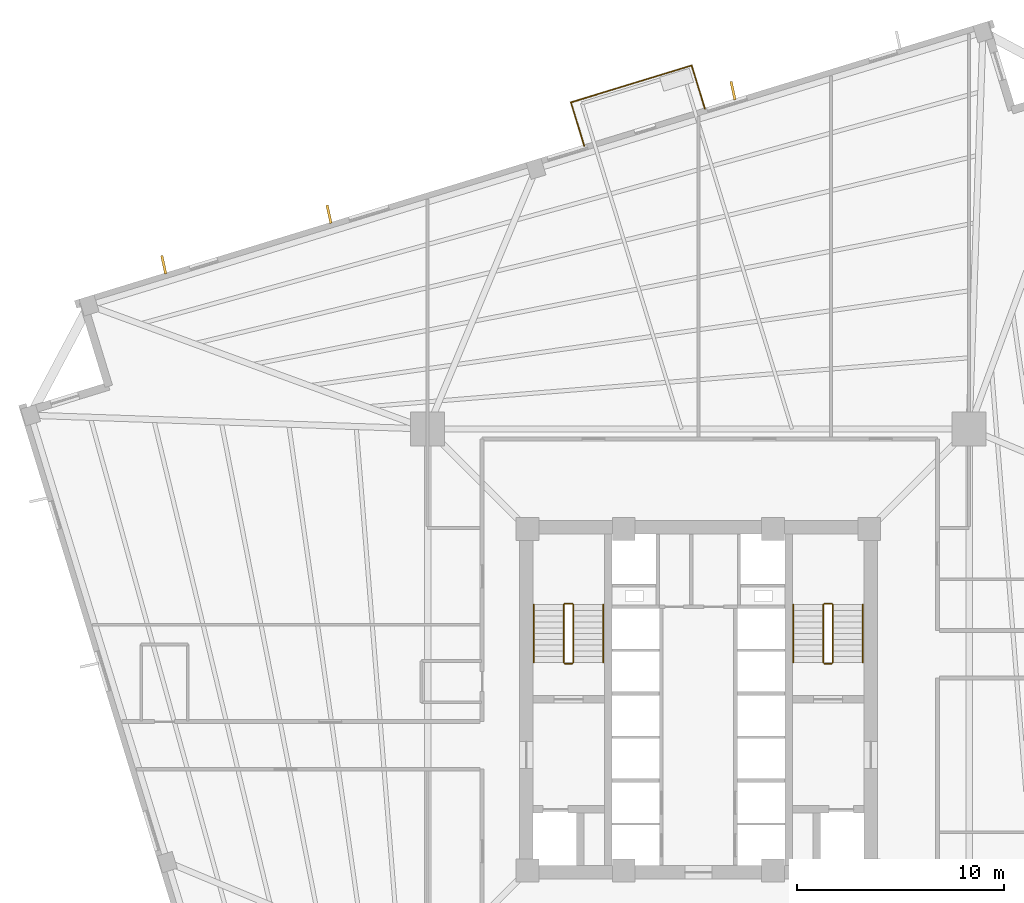
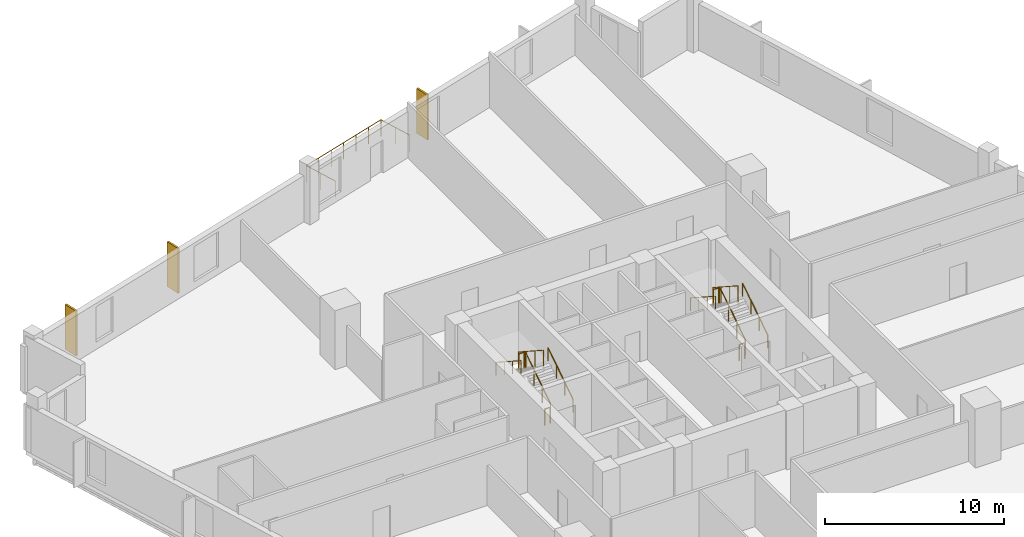
# One storey, part 8 of 9: 15 railings, 3 coverings.
"""IFC4 building model written with IfcOpenShell, lengths in metres."""

from ifc_helpers import new_model, si_unit, direction, frame, origin, origin_2d, place, context, subcontext, project, spatial, rectangle, circle, extrude, source, transform, mapped, material, layer, layer_set, type_object, element, save


model = new_model("IFC4")

# Units and contexts
model_context = context("Model", 3, precision=1e-05, world=origin(), true_north=direction((0.0, 1.0)))
body_context = subcontext(model_context, "Body", "Model", "MODEL_VIEW")
ifc_project = project(units=[si_unit("LENGTHUNIT", "METRE"), si_unit("AREAUNIT", "SQUARE_METRE"), si_unit("VOLUMEUNIT", "CUBIC_METRE"), si_unit("PLANEANGLEUNIT", "RADIAN"), si_unit("MASSUNIT", "GRAM", prefix="KILO"), si_unit("THERMODYNAMICTEMPERATUREUNIT", "KELVIN")], contexts=[model_context])

# Site, building, storey
site_placement = place(None, origin())
site = spatial("IfcSite", under=ifc_project, at=site_placement, CompositionType="ELEMENT")
building_placement = place(site_placement, origin())
building = spatial("IfcBuilding", under=site, at=building_placement, Name="Kosmvard Interchange Tower", CompositionType="ELEMENT")
storey_placement = place(building_placement, frame((0.0, 0.0, 127.199951171875)))
storey = spatial("IfcBuildingStorey", under=building, at=storey_placement, Name="L30", CompositionType="ELEMENT", Elevation=127.199951171875)

# Railings
ifc_material_1 = material(Name="Steel S355", Category="steel")
railing_type_1 = type_object("IfcRailingType", Name="Observation & Balcony Glass-Infill Balustrade 1150", PredefinedType="BALUSTRADE", material=ifc_material_1)
shared_shape_1 = source(origin(), body_context, "Body", "SweptSolid", [
    extrude(circle(Radius=0.02392578125, at=origin_2d()), frame((0.0, 0.0, 1.1259765625), z_axis=(-0.292424349234, 0.956288659336, 0.0), x_axis=(-0.956288659336, -0.292424349234, 0.0)), (0.0, 0.0, 1.0), 2.199951171875),
    extrude(circle(Radius=0.02099609375, at=origin_2d()), origin(), (0.0, 0.0, 1.0), 1.101806640625),
    extrude(circle(Radius=0.02099609375, at=origin_2d()), frame((-0.32177734375, 1.0517578125, 0.0)), (0.0, 0.0, 1.0), 1.101806640625),
    extrude(circle(Radius=0.02099609375, at=origin_2d()), frame((-0.643310546875, 2.103759765625, 0.0)), (0.0, 0.0, 1.0), 1.101806640625),
])
railing_1_placement = place(storey_placement, frame((0.319580078125, 28.54052734375, 0.0)))
element("IfcRailing", 1, at=railing_1_placement, inside=storey, type_object=railing_type_1, Name="L30 Outdoor Terrace Guard BAL-L30-N-A", PredefinedType="BALUSTRADE", context=body_context, shape_type="MappedRepresentation", body=[
    mapped(shared_shape_1, transform((0.0, 0.0, 0.0), scale=1.0)),
])
shared_shape_2 = source(origin(), body_context, "Body", "SweptSolid", [
    extrude(circle(Radius=0.02392578125, at=origin_2d()), frame((0.0, 0.0, 1.1259765625), z_axis=(0.292424349234, -0.956288659336, 0.0), x_axis=(0.956288659336, 0.292424349234, 0.0)), (0.0, 0.0, 1.0), 2.199951171875),
    extrude(circle(Radius=0.02099609375, at=origin_2d()), origin(), (0.0, 0.0, 1.0), 1.101806640625),
    extrude(circle(Radius=0.02099609375, at=origin_2d()), frame((0.32177734375, -1.0517578125, 0.0)), (0.0, 0.0, 1.0), 1.101806640625),
    extrude(circle(Radius=0.02099609375, at=origin_2d()), frame((0.643310546875, -2.103759765625, 0.0)), (0.0, 0.0, 1.0), 1.101806640625),
])
railing_2_placement = place(storey_placement, frame((-6.1572265625, 28.86083984375, 0.0)))
element("IfcRailing", 2, at=railing_2_placement, inside=storey, type_object=railing_type_1, Name="L30 Outdoor Terrace Guard BAL-L30-N-C", PredefinedType="BALUSTRADE", context=body_context, shape_type="MappedRepresentation", body=[
    mapped(shared_shape_2, transform((0.0, 0.0, 0.0), scale=1.0)),
])

# Coverings
ifc_material_2 = material(Name="Architectural anodised aluminium", Category="aluminium")
ifc_layer = layer(ifc_material_2, 0.1201171875, Name="Architectural anodised aluminium")
ifc_layer_set = layer_set([ifc_layer], Name="Architectural anodised aluminium")
covering_type = type_object("IfcCoveringType", Name="Rotating Vertical Sun-Breaker Fin 900x120 Aluminium", PredefinedType="CLADDING", material=ifc_layer_set)
shared_shape_3 = source(origin(), body_context, "Body", "SweptSolid", [
    extrude(rectangle(XDim=0.89990234375, YDim=0.1201171875, at=origin_2d()), origin(), (0.0, 0.0, 1.0), 3.06005859375),
])
for number, where, z_axis, x_axis, name in (
    (3, (1.673583984375, 29.425048828125, 0.0400390625), (0.0, 0.0, 1.0), (-0.21251877723, 0.977156982948, 0.0), "L30 Rotating Vertical Sun-Breaker Fin 10"),
    (4, (-17.841796875, 23.45849609375, 0.0400390625), (0.0, 0.0, 1.0), (-0.21251877723, 0.977156982948, 0.0), "L30 Rotating Vertical Sun-Breaker Fin 11"),
    (5, (-25.825439453125, 21.017822265625, 0.0400390625), (0.0, 0.0, 1.0), (-0.21251877723, 0.977156982948, 0.0), "L30 Rotating Vertical Sun-Breaker Fin 12"),
):
    element("IfcCovering", number, at=place(storey_placement, frame(where, z_axis=z_axis, x_axis=x_axis)), inside=storey, type_object=covering_type, Name=name, PredefinedType="CLADDING", context=body_context, shape_type="MappedRepresentation", body=[
        mapped(shared_shape_3, transform((0.0, 0.0, 0.0), scale=1.0)),
    ])

# Railings
shared_shape_4 = source(origin(), body_context, "Body", "SweptSolid", [
    extrude(circle(Radius=0.02392578125, at=origin_2d()), frame((0.0, 0.0, 1.1259765625), z_axis=(-0.956306198406, -0.292366986664, 0.0), x_axis=(0.292366986664, -0.956306198406, 0.0)), (0.0, 0.0, 1.0), 6.10009765625),
    extrude(circle(Radius=0.02099609375, at=origin_2d()), origin(), (0.0, 0.0, 1.0), 1.101806640625),
    extrude(circle(Radius=0.02099609375, at=origin_2d()), frame((-0.97216796875, -0.29736328125, 0.0)), (0.0, 0.0, 1.0), 1.101806640625),
    extrude(circle(Radius=0.02099609375, at=origin_2d()), frame((-1.944580078125, -0.594482421875, 0.0)), (0.0, 0.0, 1.0), 1.101806640625),
    extrude(circle(Radius=0.02099609375, at=origin_2d()), frame((-2.916748046875, -0.8916015625, 0.0)), (0.0, 0.0, 1.0), 1.101806640625),
    extrude(circle(Radius=0.02099609375, at=origin_2d()), frame((-3.888916015625, -1.18896484375, 0.0)), (0.0, 0.0, 1.0), 1.101806640625),
    extrude(circle(Radius=0.02099609375, at=origin_2d()), frame((-4.861328125, -1.486328125, 0.0)), (0.0, 0.0, 1.0), 1.101806640625),
    extrude(circle(Radius=0.02099609375, at=origin_2d()), frame((-5.83349609375, -1.783447265625, 0.0)), (0.0, 0.0, 1.0), 1.101806640625),
])
railing_3_placement = place(storey_placement, frame((-0.32373046875, 30.644287109375, 0.0)))
element("IfcRailing", 6, at=railing_3_placement, inside=storey, type_object=railing_type_1, Name="L30 Outdoor Terrace Guard BAL-L30-N-B", PredefinedType="BALUSTRADE", context=body_context, shape_type="MappedRepresentation", body=[
    mapped(shared_shape_4, transform((0.0, 0.0, 0.0), scale=1.0)),
])
railing_type_2 = type_object("IfcRailingType", Name="Stair & Terrace Safety Guardrail 1100 Steel", PredefinedType="GUARDRAIL", material=ifc_material_1)
shared_shape_5 = source(origin(), body_context, "Body", "SweptSolid", [
    extrude(circle(Radius=0.02392578125, at=origin_2d()), frame((0.0, 0.0, 1.076171875), z_axis=(-1.0, 0.0, 0.0), x_axis=(0.0, -1.0, 0.0)), (0.0, 0.0, 1.0), 0.35986328125),
    extrude(circle(Radius=0.02099609375, at=origin_2d()), origin(), (0.0, 0.0, 1.0), 1.052001953125),
    extrude(circle(Radius=0.02099609375, at=origin_2d()), frame((-0.35986328125, 0.0, 0.0)), (0.0, 0.0, 1.0), 1.052001953125),
])
for number, where, name in (
    (7, (-6.090087890625, 4.64990234375, 2.0), "L30 ST-1 stair guard 2"),
    (8, (-6.090087890625, 1.75, 0.0), "L30 ST-1 stair guard 4"),
    (9, (6.449951171875, 4.64990234375, 2.0), "L30 ST-2 stair guard 2"),
    (10, (6.449951171875, 1.75, 0.0), "L30 ST-2 stair guard 4"),
):
    element("IfcRailing", number, at=place(storey_placement, frame(where)), inside=storey, type_object=railing_type_2, Name=name, PredefinedType="GUARDRAIL", context=body_context, shape_type="MappedRepresentation", body=[
        mapped(shared_shape_5, transform((0.0, 0.0, 0.0), scale=1.0)),
    ])
shared_shape_6 = source(origin(), body_context, "Body", "SweptSolid", [
    extrude(circle(Radius=0.02392578125, at=origin_2d()), frame((0.0, 0.0, 1.076171875), z_axis=(0.0, 0.838705829183, 0.544584733623), x_axis=(-1.0, 0.0, 0.0)), (0.0, 0.0, 1.0), 3.338623046875),
    extrude(circle(Radius=0.02099609375, at=origin_2d()), origin(), (0.0, 0.0, 1.0), 1.052001953125),
    extrude(circle(Radius=0.02099609375, at=origin_2d()), frame((0.0, 0.933349609375, 0.60595703125)), (0.0, 0.0, 1.0), 1.052001953125),
    extrude(circle(Radius=0.02099609375, at=origin_2d()), frame((0.0, 1.86669921875, 1.212158203125)), (0.0, 0.0, 1.0), 1.052001953125),
    extrude(circle(Radius=0.02099609375, at=origin_2d()), frame((0.0, 2.800048828125, 1.818115234375)), (0.0, 0.0, 1.0), 1.052001953125),
])
for number, where, name in (
    (11, (-6.0400390625, 1.800048828125, 0.181884765625), "L30 ST-1 stair guard 1"),
    (12, (6.5, 1.800048828125, 0.181884765625), "L30 ST-2 stair guard 1"),
):
    element("IfcRailing", number, at=place(storey_placement, frame(where)), inside=storey, type_object=railing_type_2, Name=name, PredefinedType="GUARDRAIL", context=body_context, shape_type="MappedRepresentation", body=[
        mapped(shared_shape_6, transform((0.0, 0.0, 0.0), scale=1.0)),
    ])
shared_shape_7 = source(origin(), body_context, "Body", "SweptSolid", [
    extrude(circle(Radius=0.02392578125, at=origin_2d()), frame((0.0, 0.0, 1.076171875), z_axis=(0.0, -0.838705829183, 0.544584733623), x_axis=(1.0, 0.0, 0.0)), (0.0, 0.0, 1.0), 3.338623046875),
    extrude(circle(Radius=0.02099609375, at=origin_2d()), origin(), (0.0, 0.0, 1.0), 1.052001953125),
    extrude(circle(Radius=0.02099609375, at=origin_2d()), frame((0.0, -0.933349609375, 0.60595703125)), (0.0, 0.0, 1.0), 1.052001953125),
    extrude(circle(Radius=0.02099609375, at=origin_2d()), frame((0.0, -1.86669921875, 1.212158203125)), (0.0, 0.0, 1.0), 1.052001953125),
    extrude(circle(Radius=0.02099609375, at=origin_2d()), frame((0.0, -2.800048828125, 1.818115234375)), (0.0, 0.0, 1.0), 1.052001953125),
])
for number, where, name in (
    (13, (-6.5, 4.60009765625, 2.181884765625), "L30 ST-1 stair guard 3"),
    (14, (6.0400390625, 4.60009765625, 2.181884765625), "L30 ST-2 stair guard 3"),
):
    element("IfcRailing", number, at=place(storey_placement, frame(where)), inside=storey, type_object=railing_type_2, Name=name, PredefinedType="GUARDRAIL", context=body_context, shape_type="MappedRepresentation", body=[
        mapped(shared_shape_7, transform((0.0, 0.0, 0.0), scale=1.0)),
    ])
railing_type_3 = type_object("IfcRailingType", Name="Wall-Mounted Stair Handrail 900 Steel", PredefinedType="HANDRAIL", material=ifc_material_1)
shared_shape_8 = source(origin(), body_context, "Body", "SweptSolid", [
    extrude(circle(Radius=0.02392578125, at=origin_2d()), frame((0.0, 0.0, 0.8759765625), z_axis=(0.0, 0.838705829183, 0.544584733623), x_axis=(-1.0, 0.0, 0.0)), (0.0, 0.0, 1.0), 3.338623046875),
    extrude(circle(Radius=0.02099609375, at=origin_2d()), origin(), (0.0, 0.0, 1.0), 0.851806640625),
    extrude(circle(Radius=0.02099609375, at=origin_2d()), frame((0.0, 0.933349609375, 0.60595703125)), (0.0, 0.0, 1.0), 0.851806640625),
    extrude(circle(Radius=0.02099609375, at=origin_2d()), frame((0.0, 1.86669921875, 1.212158203125)), (0.0, 0.0, 1.0), 0.851806640625),
    extrude(circle(Radius=0.02099609375, at=origin_2d()), frame((0.0, 2.800048828125, 1.818115234375)), (0.0, 0.0, 1.0), 0.851806640625),
])
for number, where, name in (
    (15, (-4.590087890625, 1.800048828125, 0.181884765625), "L30 ST-1 stair handrail 1"),
    (16, (7.949951171875, 1.800048828125, 0.181884765625), "L30 ST-2 stair handrail 1"),
):
    element("IfcRailing", number, at=place(storey_placement, frame(where)), inside=storey, type_object=railing_type_3, Name=name, PredefinedType="HANDRAIL", context=body_context, shape_type="MappedRepresentation", body=[
        mapped(shared_shape_8, transform((0.0, 0.0, 0.0), scale=1.0)),
    ])
shared_shape_9 = source(origin(), body_context, "Body", "SweptSolid", [
    extrude(circle(Radius=0.02392578125, at=origin_2d()), frame((0.0, 0.0, 0.8759765625), z_axis=(0.0, -0.838705829183, 0.544584733623), x_axis=(1.0, 0.0, 0.0)), (0.0, 0.0, 1.0), 3.338623046875),
    extrude(circle(Radius=0.02099609375, at=origin_2d()), origin(), (0.0, 0.0, 1.0), 0.851806640625),
    extrude(circle(Radius=0.02099609375, at=origin_2d()), frame((0.0, -0.933349609375, 0.60595703125)), (0.0, 0.0, 1.0), 0.851806640625),
    extrude(circle(Radius=0.02099609375, at=origin_2d()), frame((0.0, -1.86669921875, 1.212158203125)), (0.0, 0.0, 1.0), 0.851806640625),
    extrude(circle(Radius=0.02099609375, at=origin_2d()), frame((0.0, -2.800048828125, 1.818115234375)), (0.0, 0.0, 1.0), 0.851806640625),
])
for number, where, name in (
    (17, (-7.949951171875, 4.60009765625, 2.181884765625), "L30 ST-1 stair handrail 2"),
    (18, (4.590087890625, 4.60009765625, 2.181884765625), "L30 ST-2 stair handrail 2"),
):
    element("IfcRailing", number, at=place(storey_placement, frame(where)), inside=storey, type_object=railing_type_3, Name=name, PredefinedType="HANDRAIL", context=body_context, shape_type="MappedRepresentation", body=[
        mapped(shared_shape_9, transform((0.0, 0.0, 0.0), scale=1.0)),
    ])

save(model, "model.ifc")
